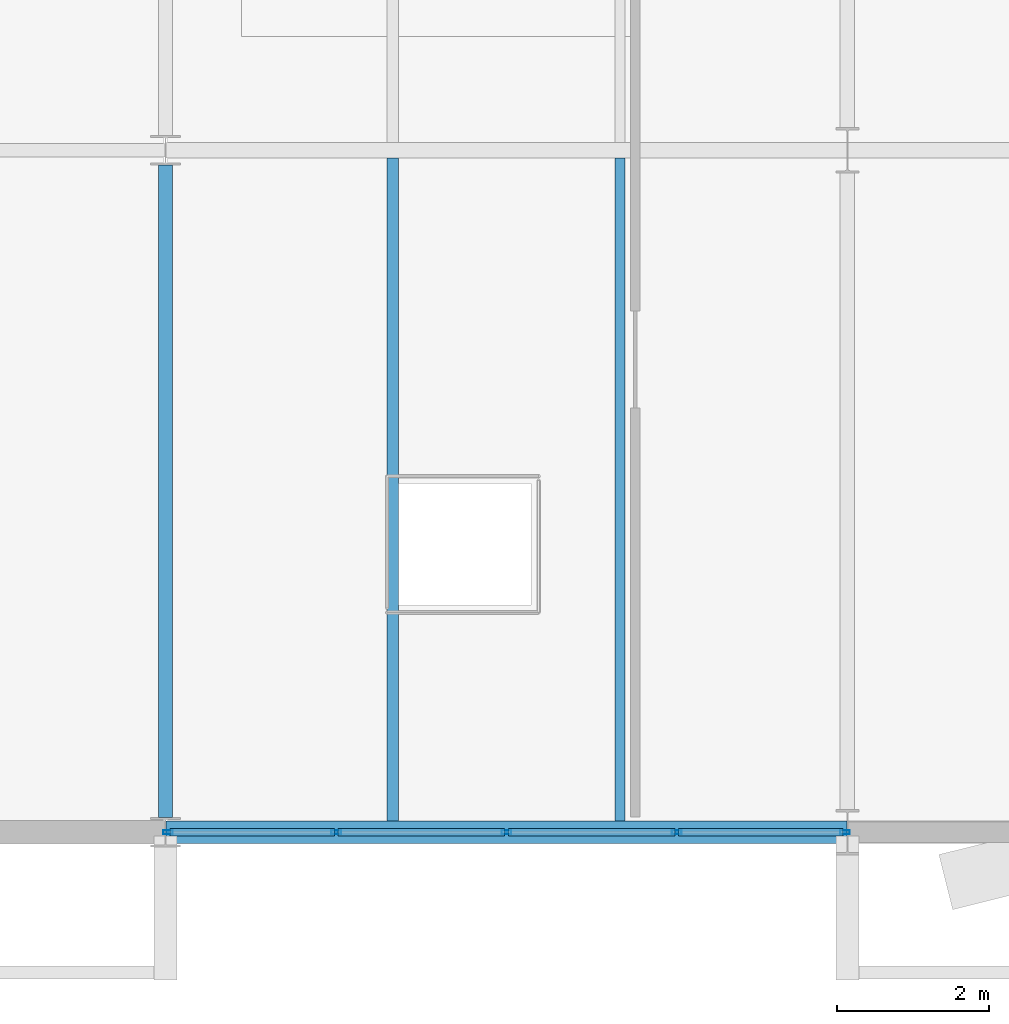
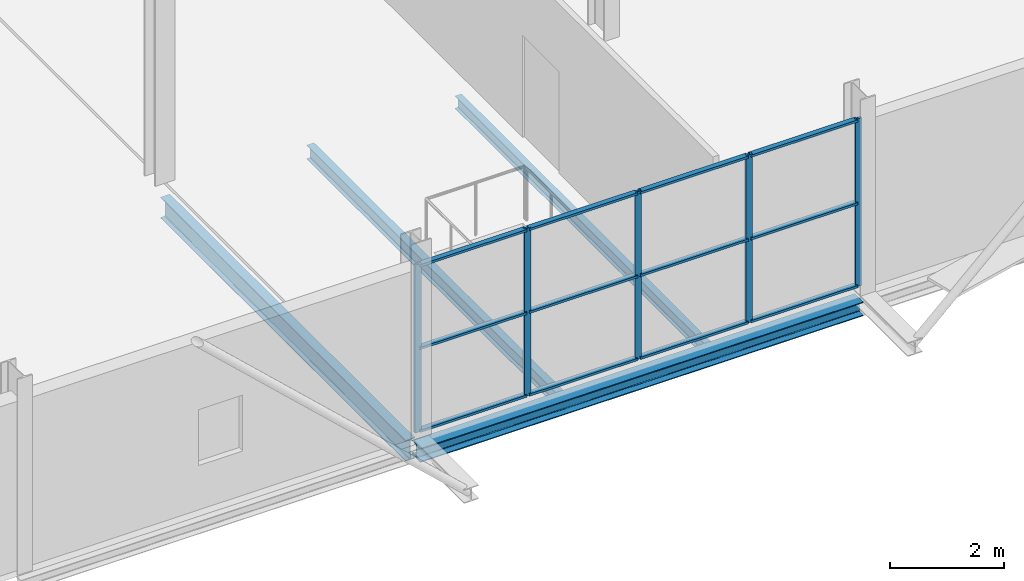
# One storey, part 42 of 103: 17 members, 4 beams, 1 element without a shape of its own.
"""IFC4 building model written with IfcOpenShell, lengths in metres."""

from ifc_helpers import new_model, si_unit, direction, frame, origin, origin_2d, place, context, subcontext, project, spatial, hollow_rectangle, i_section, extrude, material, layer, layer_set, material_profile, profile_set, type_object, element, aggregate, save


model = new_model("IFC4")

# Units and contexts
model_context = context("Model", 3, precision=1e-05, world=origin(), true_north=direction((0.0, 1.0)))
body_context = subcontext(model_context, "Body", "Model", "MODEL_VIEW")
ifc_project = project(units=[si_unit("LENGTHUNIT", "METRE"), si_unit("AREAUNIT", "SQUARE_METRE"), si_unit("VOLUMEUNIT", "CUBIC_METRE"), si_unit("PLANEANGLEUNIT", "RADIAN"), si_unit("MASSUNIT", "GRAM", prefix="KILO")], contexts=[model_context])

# Site, building, storey
site_placement = place(None, origin())
site = spatial("IfcSite", under=ifc_project, at=site_placement, CompositionType="ELEMENT")
building_placement = place(site_placement, origin())
building = spatial("IfcBuilding", under=site, at=building_placement, Name="Deido Ridge Mobility Hub", CompositionType="ELEMENT")
storey_placement = place(building_placement, frame((0.0, 0.0, 12.60009765625)))
storey = spatial("IfcBuildingStorey", under=building, at=storey_placement, Name="L03", CompositionType="ELEMENT", Elevation=12.60009765625)

# Beams
ifc_material_1 = material(Name="Steel S355J2 EN 10025-2", Category="steel")
ifc_material_profile_1 = material_profile(ifc_material_1, i_section(OverallWidth=0.18994140625, OverallDepth=0.449951171875, WebThickness=0.009521484375, FlangeThickness=0.0146484375, FilletRadius=0.02099609375, at=origin_2d()), Name="IPE 450")
ifc_profile_set_1 = profile_set([ifc_material_profile_1], Name="Steel S355J2 EN 10025-2")
beam_type_1 = type_object("IfcBeamType", Name="BM-IPE450", PredefinedType="BEAM", material=ifc_profile_set_1)
beam_1_placement = place(storey_placement, frame((144.0, 0.196533203125, -0.489990234375), z_axis=(0.0, 1.0, 0.0), x_axis=(-1.0, 0.0, 0.0)))
element("IfcBeam", 1, at=beam_1_placement, inside=storey, type_object=beam_type_1, Name="Floor beam B4", PredefinedType="BEAM", context=body_context, shape_type="SweptSolid", body=[
    extrude(i_section(OverallWidth=0.18994140625, OverallDepth=0.449951171875, WebThickness=0.009521484375, FlangeThickness=0.0146484375, FilletRadius=0.02099609375, at=origin_2d()), origin(), (0.0, 0.0, 1.0), 8.60693359375),
])
ifc_material_profile_2 = material_profile(ifc_material_1, i_section(OverallWidth=0.135009765625, OverallDepth=0.27001953125, WebThickness=0.006591796875, FlangeThickness=0.01025390625, FilletRadius=0.014892578125, at=origin_2d()), Name="IPE 270")
ifc_profile_set_2 = profile_set([ifc_material_profile_2], Name="Steel S355J2 EN 10025-2")
beam_type_2 = type_object("IfcBeamType", Name="JST-IPE270", PredefinedType="JOIST", material=ifc_profile_set_2)
beam_2_placement = place(storey_placement, frame((150.0, 0.14990234375, -0.400146484375), z_axis=(0.0, 1.0, 0.0), x_axis=(-1.0, 0.0, 0.0)))
element("IfcBeam", 2, at=beam_2_placement, inside=storey, type_object=beam_type_2, Name="Composite joist J4", PredefinedType="JOIST", context=body_context, shape_type="SweptSolid", body=[
    extrude(i_section(OverallWidth=0.135009765625, OverallDepth=0.27001953125, WebThickness=0.006591796875, FlangeThickness=0.01025390625, FilletRadius=0.014892578125, at=origin_2d()), origin(), (0.0, 0.0, 1.0), 8.75),
])
ifc_material_profile_3 = material_profile(ifc_material_1, i_section(OverallWidth=0.14990234375, OverallDepth=0.300048828125, WebThickness=0.007080078125, FlangeThickness=0.0107421875, FilletRadius=0.014892578125, at=origin_2d()), Name="IPE 300")
ifc_profile_set_3 = profile_set([ifc_material_profile_3], Name="Steel S355J2 EN 10025-2")
beam_type_3 = type_object("IfcBeamType", Name="JST-IPE300", PredefinedType="JOIST", material=ifc_profile_set_3)
beam_3_placement = place(storey_placement, frame((147.0, 0.14990234375, -0.4150390625), z_axis=(0.0, 1.0, 0.0), x_axis=(-1.0, 0.0, 0.0)))
element("IfcBeam", 3, at=beam_3_placement, inside=storey, type_object=beam_type_3, Name="Composite joist J3", PredefinedType="JOIST", context=body_context, shape_type="SweptSolid", body=[
    extrude(i_section(OverallWidth=0.14990234375, OverallDepth=0.300048828125, WebThickness=0.007080078125, FlangeThickness=0.0107421875, FilletRadius=0.014892578125, at=origin_2d()), origin(), (0.0, 0.0, 1.0), 8.75),
])

# Curtain wall, members
ifc_material_2 = material(Name="Anodised aluminium EN AW-6063 T6", Category="aluminium")
ifc_layer = layer(ifc_material_2, 0.1650390625, Name="Anodised aluminium EN AW-6063 T6")
ifc_layer_set = layer_set([ifc_layer], Name="Anodised aluminium EN AW-6063 T6")
curtain_wall_type = type_object("IfcCurtainWallType", Name="CW-UF-1", PredefinedType="USERDEFINED", material=ifc_layer_set)
curtain_wall_placement = place(storey_placement, origin())
curtain_wall = element("IfcCurtainWall", 4, at=curtain_wall_placement, inside=storey, type_object=curtain_wall_type, Name="Unitised curtain wall CW1", ObjectType="UNITISED FACADE", PredefinedType="USERDEFINED")
ifc_material_profile_4 = material_profile(ifc_material_2, hollow_rectangle(XDim=0.050048828125, YDim=0.1298828125, WallThickness=0.00390625, at=origin_2d()), Name="RHS 50x130x4")
ifc_profile_set_4 = profile_set([ifc_material_profile_4], Name="Anodised aluminium EN AW-6063 T6")
member_type_1 = type_object("IfcMemberType", Name="MEM-MUL-50X130", PredefinedType="MULLION", material=ifc_profile_set_4)
member_1_placement = place(storey_placement, frame((144.03369140625, 0.0, 0.0), z_axis=(0.0, 0.0, 1.0), x_axis=(0.0, 1.0, 0.0)))
member_1 = element("IfcMember", 5, at=member_1_placement, type_object=member_type_1, Name="CW1 mullion 1", PredefinedType="MULLION", context=body_context, shape_type="SweptSolid", body=[
    extrude(hollow_rectangle(XDim=0.050048828125, YDim=0.1298828125, WallThickness=0.00390625, at=origin_2d()), origin(), (0.0, 0.0, 1.0), 3.599853515625),
])
member_2_placement = place(storey_placement, frame((146.254638671875, 0.0, 0.0), z_axis=(0.0, 0.0, 1.0), x_axis=(0.0, 1.0, 0.0)))
member_2 = element("IfcMember", 6, at=member_2_placement, type_object=member_type_1, Name="CW1 mullion 2", PredefinedType="MULLION", context=body_context, shape_type="SweptSolid", body=[
    extrude(hollow_rectangle(XDim=0.050048828125, YDim=0.1298828125, WallThickness=0.00390625, at=origin_2d()), origin(), (0.0, 0.0, 1.0), 3.599853515625),
])
member_3_placement = place(storey_placement, frame((148.50048828125, 0.0, 0.0), z_axis=(0.0, 0.0, 1.0), x_axis=(0.0, 1.0, 0.0)))
member_3 = element("IfcMember", 7, at=member_3_placement, type_object=member_type_1, Name="CW1 mullion 3", PredefinedType="MULLION", context=body_context, shape_type="SweptSolid", body=[
    extrude(hollow_rectangle(XDim=0.050048828125, YDim=0.1298828125, WallThickness=0.00390625, at=origin_2d()), origin(), (0.0, 0.0, 1.0), 3.599853515625),
])
member_4_placement = place(storey_placement, frame((150.746337890625, 0.0, 0.0), z_axis=(0.0, 0.0, 1.0), x_axis=(0.0, 1.0, 0.0)))
member_4 = element("IfcMember", 8, at=member_4_placement, type_object=member_type_1, Name="CW1 mullion 4", PredefinedType="MULLION", context=body_context, shape_type="SweptSolid", body=[
    extrude(hollow_rectangle(XDim=0.050048828125, YDim=0.1298828125, WallThickness=0.00390625, at=origin_2d()), origin(), (0.0, 0.0, 1.0), 3.599853515625),
])
member_5_placement = place(storey_placement, frame((152.96728515625, 0.0, 0.0), z_axis=(0.0, 0.0, 1.0), x_axis=(0.0, 1.0, 0.0)))
member_5 = element("IfcMember", 9, at=member_5_placement, type_object=member_type_1, Name="CW1 mullion 5", PredefinedType="MULLION", context=body_context, shape_type="SweptSolid", body=[
    extrude(hollow_rectangle(XDim=0.050048828125, YDim=0.1298828125, WallThickness=0.00390625, at=origin_2d()), origin(), (0.0, 0.0, 1.0), 3.599853515625),
])
ifc_material_profile_5 = material_profile(ifc_material_2, hollow_rectangle(XDim=0.10498046875, YDim=0.050048828125, WallThickness=0.00390625, at=origin_2d()), Name="RHS 105x50x4")
ifc_profile_set_5 = profile_set([ifc_material_profile_5], Name="Anodised aluminium EN AW-6063 T6")
member_type_2 = type_object("IfcMemberType", Name="MEM-TRN-105X50", PredefinedType="USERDEFINED", material=ifc_profile_set_5)
member_6_placement = place(storey_placement, frame((144.05859375, 0.0, 0.02490234375), z_axis=(1.0, 0.0, 0.0), x_axis=(0.0, 1.0, 0.0)))
member_6 = element("IfcMember", 10, at=member_6_placement, type_object=member_type_2, Name="CW1 transom 1.1", ObjectType="TRANSOM", PredefinedType="USERDEFINED", context=body_context, shape_type="SweptSolid", body=[
    extrude(hollow_rectangle(XDim=0.10498046875, YDim=0.050048828125, WallThickness=0.00390625, at=origin_2d()), origin(), (0.0, 0.0, 1.0), 2.1708984375),
])
member_7_placement = place(storey_placement, frame((144.05859375, 0.0, 1.7998046875), z_axis=(1.0, 0.0, 0.0), x_axis=(0.0, 1.0, 0.0)))
member_7 = element("IfcMember", 11, at=member_7_placement, type_object=member_type_2, Name="CW1 transom 1.2", ObjectType="TRANSOM", PredefinedType="USERDEFINED", context=body_context, shape_type="SweptSolid", body=[
    extrude(hollow_rectangle(XDim=0.10498046875, YDim=0.050048828125, WallThickness=0.00390625, at=origin_2d()), origin(), (0.0, 0.0, 1.0), 2.1708984375),
])
member_8_placement = place(storey_placement, frame((144.05859375, 0.0, 3.574951171875), z_axis=(1.0, 0.0, 0.0), x_axis=(0.0, 1.0, 0.0)))
member_8 = element("IfcMember", 12, at=member_8_placement, type_object=member_type_2, Name="CW1 transom 1.3", ObjectType="TRANSOM", PredefinedType="USERDEFINED", context=body_context, shape_type="SweptSolid", body=[
    extrude(hollow_rectangle(XDim=0.10498046875, YDim=0.050048828125, WallThickness=0.00390625, at=origin_2d()), origin(), (0.0, 0.0, 1.0), 2.1708984375),
])
member_9_placement = place(storey_placement, frame((146.279541015625, 0.0, 0.02490234375), z_axis=(1.0, 0.0, 0.0), x_axis=(0.0, 1.0, 0.0)))
member_9 = element("IfcMember", 13, at=member_9_placement, type_object=member_type_2, Name="CW1 transom 2.1", ObjectType="TRANSOM", PredefinedType="USERDEFINED", context=body_context, shape_type="SweptSolid", body=[
    extrude(hollow_rectangle(XDim=0.10498046875, YDim=0.050048828125, WallThickness=0.00390625, at=origin_2d()), origin(), (0.0, 0.0, 1.0), 2.196044921875),
])
member_10_placement = place(storey_placement, frame((146.279541015625, 0.0, 1.7998046875), z_axis=(1.0, 0.0, 0.0), x_axis=(0.0, 1.0, 0.0)))
member_10 = element("IfcMember", 14, at=member_10_placement, type_object=member_type_2, Name="CW1 transom 2.2", ObjectType="TRANSOM", PredefinedType="USERDEFINED", context=body_context, shape_type="SweptSolid", body=[
    extrude(hollow_rectangle(XDim=0.10498046875, YDim=0.050048828125, WallThickness=0.00390625, at=origin_2d()), origin(), (0.0, 0.0, 1.0), 2.196044921875),
])
member_11_placement = place(storey_placement, frame((146.279541015625, 0.0, 3.574951171875), z_axis=(1.0, 0.0, 0.0), x_axis=(0.0, 1.0, 0.0)))
member_11 = element("IfcMember", 15, at=member_11_placement, type_object=member_type_2, Name="CW1 transom 2.3", ObjectType="TRANSOM", PredefinedType="USERDEFINED", context=body_context, shape_type="SweptSolid", body=[
    extrude(hollow_rectangle(XDim=0.10498046875, YDim=0.050048828125, WallThickness=0.00390625, at=origin_2d()), origin(), (0.0, 0.0, 1.0), 2.196044921875),
])
member_12_placement = place(storey_placement, frame((148.525390625, 0.0, 0.02490234375), z_axis=(1.0, 0.0, 0.0), x_axis=(0.0, 1.0, 0.0)))
member_12 = element("IfcMember", 16, at=member_12_placement, type_object=member_type_2, Name="CW1 transom 3.1", ObjectType="TRANSOM", PredefinedType="USERDEFINED", context=body_context, shape_type="SweptSolid", body=[
    extrude(hollow_rectangle(XDim=0.10498046875, YDim=0.050048828125, WallThickness=0.00390625, at=origin_2d()), origin(), (0.0, 0.0, 1.0), 2.196044921875),
])
member_13_placement = place(storey_placement, frame((148.525390625, 0.0, 1.7998046875), z_axis=(1.0, 0.0, 0.0), x_axis=(0.0, 1.0, 0.0)))
member_13 = element("IfcMember", 17, at=member_13_placement, type_object=member_type_2, Name="CW1 transom 3.2", ObjectType="TRANSOM", PredefinedType="USERDEFINED", context=body_context, shape_type="SweptSolid", body=[
    extrude(hollow_rectangle(XDim=0.10498046875, YDim=0.050048828125, WallThickness=0.00390625, at=origin_2d()), origin(), (0.0, 0.0, 1.0), 2.196044921875),
])
member_14_placement = place(storey_placement, frame((148.525390625, 0.0, 3.574951171875), z_axis=(1.0, 0.0, 0.0), x_axis=(0.0, 1.0, 0.0)))
member_14 = element("IfcMember", 18, at=member_14_placement, type_object=member_type_2, Name="CW1 transom 3.3", ObjectType="TRANSOM", PredefinedType="USERDEFINED", context=body_context, shape_type="SweptSolid", body=[
    extrude(hollow_rectangle(XDim=0.10498046875, YDim=0.050048828125, WallThickness=0.00390625, at=origin_2d()), origin(), (0.0, 0.0, 1.0), 2.196044921875),
])
member_15_placement = place(storey_placement, frame((150.771484375, 0.0, 0.02490234375), z_axis=(1.0, 0.0, 0.0), x_axis=(0.0, 1.0, 0.0)))
member_15 = element("IfcMember", 19, at=member_15_placement, type_object=member_type_2, Name="CW1 transom 4.1", ObjectType="TRANSOM", PredefinedType="USERDEFINED", context=body_context, shape_type="SweptSolid", body=[
    extrude(hollow_rectangle(XDim=0.10498046875, YDim=0.050048828125, WallThickness=0.00390625, at=origin_2d()), origin(), (0.0, 0.0, 1.0), 2.1708984375),
])
member_16_placement = place(storey_placement, frame((150.771484375, 0.0, 1.7998046875), z_axis=(1.0, 0.0, 0.0), x_axis=(0.0, 1.0, 0.0)))
member_16 = element("IfcMember", 20, at=member_16_placement, type_object=member_type_2, Name="CW1 transom 4.2", ObjectType="TRANSOM", PredefinedType="USERDEFINED", context=body_context, shape_type="SweptSolid", body=[
    extrude(hollow_rectangle(XDim=0.10498046875, YDim=0.050048828125, WallThickness=0.00390625, at=origin_2d()), origin(), (0.0, 0.0, 1.0), 2.1708984375),
])
member_17_placement = place(storey_placement, frame((150.771484375, 0.0, 3.574951171875), z_axis=(1.0, 0.0, 0.0), x_axis=(0.0, 1.0, 0.0)))
member_17 = element("IfcMember", 21, at=member_17_placement, type_object=member_type_2, Name="CW1 transom 4.3", ObjectType="TRANSOM", PredefinedType="USERDEFINED", context=body_context, shape_type="SweptSolid", body=[
    extrude(hollow_rectangle(XDim=0.10498046875, YDim=0.050048828125, WallThickness=0.00390625, at=origin_2d()), origin(), (0.0, 0.0, 1.0), 2.1708984375),
])
aggregate(curtain_wall, [member_1, member_2, member_3, member_4, member_5, member_6, member_7, member_8, member_9, member_10, member_11, member_12, member_13, member_14, member_15, member_16, member_17])

# Beam
ifc_material_profile_6 = material_profile(ifc_material_1, i_section(OverallWidth=0.300048828125, OverallDepth=0.300048828125, WebThickness=0.010986328125, FlangeThickness=0.01904296875, FilletRadius=0.027099609375, at=origin_2d()), Name="HEB 300")
ifc_profile_set_6 = profile_set([ifc_material_profile_6], Name="Steel S355J2 EN 10025-2")
beam_type_4 = type_object("IfcBeamType", Name="SPD-HEB300", PredefinedType="SPANDREL", material=ifc_profile_set_6)
beam_4_placement = place(storey_placement, frame((144.0087890625, 0.0, -0.4150390625), z_axis=(1.0, 0.0, 0.0), x_axis=(0.0, 1.0, 0.0)))
element("IfcBeam", 22, at=beam_4_placement, inside=storey, type_object=beam_type_4, Name="Floor beam SP1", PredefinedType="SPANDREL", context=body_context, shape_type="SweptSolid", body=[
    extrude(i_section(OverallWidth=0.300048828125, OverallDepth=0.300048828125, WebThickness=0.010986328125, FlangeThickness=0.01904296875, FilletRadius=0.027099609375, at=origin_2d()), origin(), (0.0, 0.0, 1.0), 8.9833984375),
])

save(model, "model.ifc")
